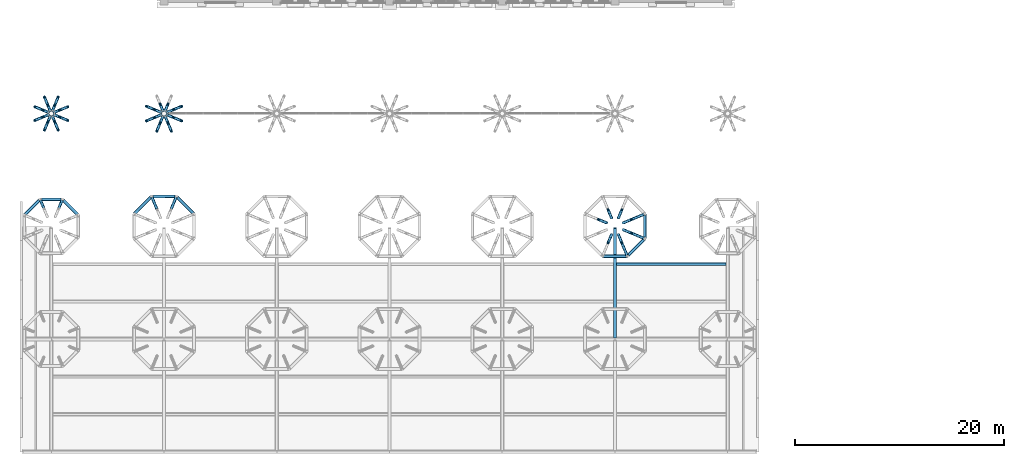
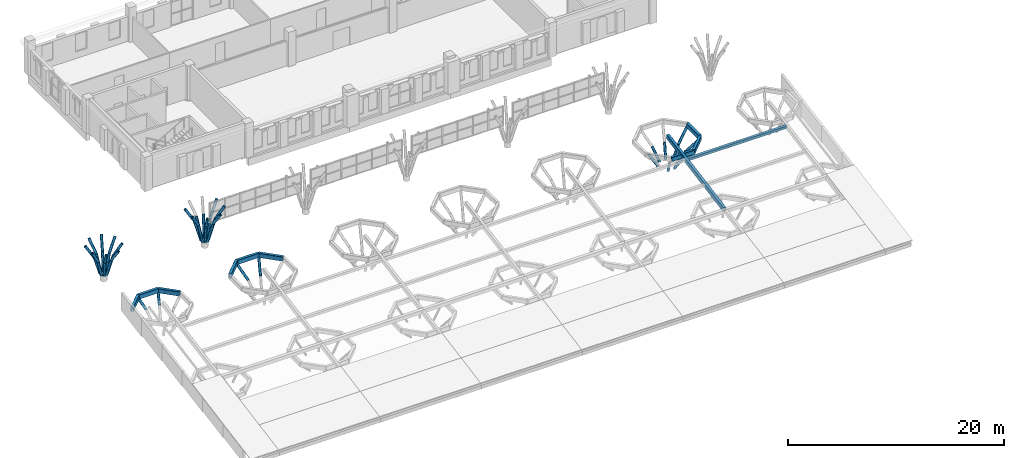
# One storey, part 6 of 42: 44 members, 11 beams.
"""IFC4 building model written with IfcOpenShell, lengths in metres."""

from ifc_helpers import new_model, si_unit, direction, frame, origin, origin_2d, place, context, subcontext, project, spatial, hollow_rectangle, hollow_circle, extrude, clip, halfspace, material, material_profile, profile_set, type_object, element, save


model = new_model("IFC4")

# Units and contexts
model_context = context("Model", 3, precision=1e-05, world=origin(), true_north=direction((0.0, 1.0)))
body_context = subcontext(model_context, "Body", "Model", "MODEL_VIEW")
ifc_project = project(units=[si_unit("LENGTHUNIT", "METRE"), si_unit("AREAUNIT", "SQUARE_METRE"), si_unit("VOLUMEUNIT", "CUBIC_METRE"), si_unit("PLANEANGLEUNIT", "RADIAN"), si_unit("MASSUNIT", "GRAM", prefix="KILO")], contexts=[model_context])

# Site, building, storey
site_placement = place(None, origin())
site = spatial("IfcSite", under=ifc_project, at=site_placement, CompositionType="ELEMENT")
building_placement = place(site_placement, origin())
building = spatial("IfcBuilding", under=site, at=building_placement, Name="Magnolia Steps Interchange", CompositionType="ELEMENT")
storey_placement = place(building_placement, frame((0.0, 0.0, 12.60009765625)))
storey = spatial("IfcBuildingStorey", under=building, at=storey_placement, Name="L03", CompositionType="ELEMENT", Elevation=12.60009765625)

# Beams
ifc_material_1 = material(Name="Steel Q355B", Category="steel")
ifc_material_profile_1 = material_profile(ifc_material_1, hollow_rectangle(XDim=0.300048828125, YDim=0.5, WallThickness=0.01611328125, InnerFilletRadius=0.01611328125, OuterFilletRadius=0.031982421875, at=origin_2d()), Name="RHS500x300x16")
ifc_profile_set_1 = profile_set([ifc_material_profile_1], Name="Steel Q355B")
beam_type_1 = type_object("IfcBeamType", Name="Ring beam RHS500x300x16", PredefinedType="BEAM", material=ifc_profile_set_1)
beam_1_placement = place(storey_placement, frame((55.780029296875, 75.86865234375, 3.4755859375), z_axis=(-0.707106781187, 0.707106781187, 0.0), x_axis=(-0.707106781187, -0.707106781187, 0.0)))
element("IfcBeam", 1, at=beam_1_placement, inside=storey, type_object=beam_type_1, Name="Ring beam TH01D", PredefinedType="BEAM", context=body_context, shape_type="Clipping", body=[
    clip(clip(extrude(hollow_rectangle(XDim=0.300048828125, YDim=0.5, WallThickness=0.01611328125, InnerFilletRadius=0.01611328125, OuterFilletRadius=0.031982421875, at=origin_2d()), origin(), (0.0, 0.0, 1.0), 2.13720703125), halfspace(frame((0.0, 0.0, 0.0), z_axis=(0.382683433, 0.0, -0.923879532), x_axis=(0.923879532, 0.0, 0.382683433)), False)), halfspace(frame((0.0, 0.0, 2.137202625), z_axis=(0.382683433, 0.0, 0.923879532), x_axis=(0.923879532, 0.0, -0.382683433)), False)),
])
beam_2_placement = place(storey_placement, frame((54.268798828125, 77.3798828125, 3.4755859375), z_axis=(-1.0, 0.0, 0.0), x_axis=(0.0, -1.0, 0.0)))
element("IfcBeam", 2, at=beam_2_placement, inside=storey, type_object=beam_type_1, Name="Ring beam TH01D", PredefinedType="BEAM", context=body_context, shape_type="Clipping", body=[
    clip(clip(extrude(hollow_rectangle(XDim=0.300048828125, YDim=0.5, WallThickness=0.01611328125, InnerFilletRadius=0.01611328125, OuterFilletRadius=0.031982421875, at=origin_2d()), origin(), (0.0, 0.0, 1.0), 2.137451171875), halfspace(frame((0.0, 0.0, 0.0), z_axis=(0.382683432, 0.0, -0.923879533), x_axis=(0.923879533, 0.0, 0.382683432)), False)), halfspace(frame((0.0, 0.0, 2.137451172), z_axis=(0.382683432, 0.0, 0.923879533), x_axis=(0.923879533, 0.0, -0.382683432)), False)),
])
beam_3_placement = place(storey_placement, frame((52.13134765625, 77.3798828125, 3.4755859375), z_axis=(-0.707106781187, -0.707106781187, 0.0), x_axis=(0.707106781187, -0.707106781187, 0.0)))
element("IfcBeam", 3, at=beam_3_placement, inside=storey, type_object=beam_type_1, Name="Ring beam TH01D", PredefinedType="BEAM", context=body_context, shape_type="Clipping", body=[
    clip(clip(extrude(hollow_rectangle(XDim=0.300048828125, YDim=0.5, WallThickness=0.01611328125, InnerFilletRadius=0.01611328125, OuterFilletRadius=0.031982421875, at=origin_2d()), origin(), (0.0, 0.0, 1.0), 2.13720703125), halfspace(frame((0.0, 0.0, 0.0), z_axis=(0.382683433, 0.0, -0.923879532), x_axis=(0.923879532, 0.0, 0.382683433)), False)), halfspace(frame((0.0, 0.0, 2.137202625), z_axis=(0.382683433, 0.0, 0.923879532), x_axis=(0.923879532, 0.0, -0.382683433)), False)),
])
beam_4_placement = place(storey_placement, frame((66.864013671875, 75.986328125, 3.4755859375), z_axis=(-0.707106781187, 0.707106781187, 0.0), x_axis=(-0.707106781187, -0.707106781187, 0.0)))
element("IfcBeam", 4, at=beam_4_placement, inside=storey, type_object=beam_type_1, Name="Ring beam TH02D", PredefinedType="BEAM", context=body_context, shape_type="Clipping", body=[
    clip(clip(extrude(hollow_rectangle(XDim=0.300048828125, YDim=0.5, WallThickness=0.01611328125, InnerFilletRadius=0.01611328125, OuterFilletRadius=0.031982421875, at=origin_2d()), origin(), (0.0, 0.0, 1.0), 2.37255859375), halfspace(frame((0.0, 0.0, 0.0), z_axis=(0.382683433, 0.0, -0.923879532), x_axis=(0.923879532, 0.0, 0.382683433)), False)), halfspace(frame((0.0, 0.0, 2.372674707), z_axis=(0.382683433, 0.0, 0.923879532), x_axis=(0.923879532, 0.0, -0.382683433)), False)),
])
beam_5_placement = place(storey_placement, frame((65.186279296875, 77.6640625, 3.4755859375), z_axis=(-1.0, 0.0, 0.0), x_axis=(0.0, -1.0, 0.0)))
element("IfcBeam", 5, at=beam_5_placement, inside=storey, type_object=beam_type_1, Name="Ring beam TH02D", PredefinedType="BEAM", context=body_context, shape_type="Clipping", body=[
    clip(clip(extrude(hollow_rectangle(XDim=0.300048828125, YDim=0.5, WallThickness=0.01611328125, InnerFilletRadius=0.01611328125, OuterFilletRadius=0.031982421875, at=origin_2d()), origin(), (0.0, 0.0, 1.0), 2.37255859375), halfspace(frame((0.0, 0.0, 0.0), z_axis=(0.382683432, 0.0, -0.923879533), x_axis=(0.923879533, 0.0, 0.382683432)), False)), halfspace(frame((0.0, 0.0, 2.372558594), z_axis=(0.382683432, 0.0, 0.923879533), x_axis=(0.923879533, 0.0, -0.382683432)), False)),
])
beam_6_placement = place(storey_placement, frame((62.813720703125, 77.6640625, 3.4755859375), z_axis=(-0.707106781187, -0.707106781187, 0.0), x_axis=(0.707106781187, -0.707106781187, 0.0)))
element("IfcBeam", 6, at=beam_6_placement, inside=storey, type_object=beam_type_1, Name="Ring beam TH02D", PredefinedType="BEAM", context=body_context, shape_type="Clipping", body=[
    clip(clip(extrude(hollow_rectangle(XDim=0.300048828125, YDim=0.5, WallThickness=0.01611328125, InnerFilletRadius=0.01611328125, OuterFilletRadius=0.031982421875, at=origin_2d()), origin(), (0.0, 0.0, 1.0), 2.37255859375), halfspace(frame((0.0, 0.0, 0.0), z_axis=(0.382683433, 0.0, -0.923879532), x_axis=(0.923879532, 0.0, 0.382683433)), False)), halfspace(frame((0.0, 0.0, 2.372674707), z_axis=(0.382683433, 0.0, 0.923879532), x_axis=(0.923879532, 0.0, -0.382683433)), False)),
])
beam_7_placement = place(storey_placement, frame((106.013671875, 71.93603515625, 3.4755859375), z_axis=(1.0, 0.0, 0.0), x_axis=(0.0, 1.0, 0.0)))
element("IfcBeam", 7, at=beam_7_placement, inside=storey, type_object=beam_type_1, Name="Ring beam TH06D", PredefinedType="BEAM", context=body_context, shape_type="Clipping", body=[
    clip(clip(extrude(hollow_rectangle(XDim=0.300048828125, YDim=0.5, WallThickness=0.01611328125, InnerFilletRadius=0.01611328125, OuterFilletRadius=0.031982421875, at=origin_2d()), origin(), (0.0, 0.0, 1.0), 2.37255859375), halfspace(frame((0.0, 0.0, 0.0), z_axis=(0.382683432, 0.0, -0.923879533), x_axis=(0.923879533, 0.0, 0.382683432)), False)), halfspace(frame((0.0, 0.0, 2.372558594), z_axis=(0.382683432, 0.0, 0.923879533), x_axis=(0.923879533, 0.0, -0.382683432)), False)),
])
beam_8_placement = place(storey_placement, frame((108.38623046875, 71.93603515625, 3.4755859375), z_axis=(0.707106781187, 0.707106781187, 0.0), x_axis=(-0.707106781187, 0.707106781187, 0.0)))
element("IfcBeam", 8, at=beam_8_placement, inside=storey, type_object=beam_type_1, Name="Ring beam TH06D", PredefinedType="BEAM", context=body_context, shape_type="Clipping", body=[
    clip(clip(extrude(hollow_rectangle(XDim=0.300048828125, YDim=0.5, WallThickness=0.01611328125, InnerFilletRadius=0.01611328125, OuterFilletRadius=0.031982421875, at=origin_2d()), origin(), (0.0, 0.0, 1.0), 2.37255859375), halfspace(frame((0.0, 0.0, 0.0), z_axis=(0.382683433, 0.0, -0.923879532), x_axis=(0.923879532, 0.0, 0.382683433)), False)), halfspace(frame((0.0, 0.0, 2.372674707), z_axis=(0.382683433, 0.0, 0.923879532), x_axis=(0.923879532, 0.0, -0.382683433)), False)),
])
beam_9_placement = place(storey_placement, frame((110.06396484375, 73.61376953125, 3.4755859375), z_axis=(0.0, 1.0, 0.0), x_axis=(-1.0, 0.0, 0.0)))
element("IfcBeam", 9, at=beam_9_placement, inside=storey, type_object=beam_type_1, Name="Ring beam TH06D", PredefinedType="BEAM", context=body_context, shape_type="Clipping", body=[
    clip(clip(extrude(hollow_rectangle(XDim=0.300048828125, YDim=0.5, WallThickness=0.01611328125, InnerFilletRadius=0.01611328125, OuterFilletRadius=0.031982421875, at=origin_2d()), origin(), (0.0, 0.0, 1.0), 2.37255859375), halfspace(frame((0.0, 0.0, 0.0), z_axis=(0.382683432, 0.0, -0.923879533), x_axis=(0.923879533, 0.0, 0.382683432)), False)), halfspace(frame((0.0, 0.0, 2.372558594), z_axis=(0.382683432, 0.0, 0.923879533), x_axis=(0.923879533, 0.0, -0.382683432)), False)),
])
ifc_material_2 = material(Name="Steel Q355B", Category="steel")
ifc_material_profile_2 = material_profile(ifc_material_2, hollow_rectangle(XDim=0.300048828125, YDim=0.5, WallThickness=0.01611328125, InnerFilletRadius=0.01611328125, OuterFilletRadius=0.031982421875, at=origin_2d()), Name="RHS500x300x16")
ifc_profile_set_2 = profile_set([ifc_material_profile_2], Name="Steel Q355B")
beam_type_2 = type_object("IfcBeamType", Name="Roof beam RHS500x300x16", PredefinedType="BEAM", material=ifc_profile_set_2)
beam_10_placement = place(storey_placement, frame((107.199951171875, 64.14990234375, 2.071533203125), z_axis=(0.0, 0.983678690331, 0.179933971746), x_axis=(-1.0, 0.0, 0.0)))
element("IfcBeam", 10, at=beam_10_placement, inside=storey, type_object=beam_type_2, Name="Roof beam", PredefinedType="BEAM", context=body_context, shape_type="SweptSolid", body=[
    extrude(hollow_rectangle(XDim=0.300048828125, YDim=0.5, WallThickness=0.01611328125, InnerFilletRadius=0.01611328125, OuterFilletRadius=0.031982421875, at=origin_2d()), origin(), (0.0, 0.0, 1.0), 10.67431640625),
])
ifc_material_3 = material(Name="Steel Q355B", Category="steel")
ifc_material_profile_3 = material_profile(ifc_material_3, hollow_rectangle(XDim=0.25, YDim=0.35009765625, WallThickness=0.011962890625, InnerFilletRadius=0.011962890625, OuterFilletRadius=0.02392578125, at=origin_2d()), Name="RHS350x250x12")
ifc_profile_set_3 = profile_set([ifc_material_profile_3], Name="Steel Q355B")
beam_type_3 = type_object("IfcBeamType", Name="Roof joist RHS350x250x12", PredefinedType="BEAM", material=ifc_profile_set_3)
beam_11_placement = place(storey_placement, frame((107.35009765625, 71.199951171875, 3.4375), z_axis=(1.0, 0.0, 0.0), x_axis=(0.0, 0.98367737698, 0.17994115154)))
element("IfcBeam", 11, at=beam_11_placement, inside=storey, type_object=beam_type_3, Name="Roof joist", PredefinedType="BEAM", context=body_context, shape_type="SweptSolid", body=[
    extrude(hollow_rectangle(XDim=0.25, YDim=0.35009765625, WallThickness=0.011962890625, InnerFilletRadius=0.011962890625, OuterFilletRadius=0.02392578125, at=origin_2d()), origin(), (0.0, 0.0, 1.0), 10.5),
])

# Members
ifc_material_4 = material(Name="Steel Q355B", Category="steel")
ifc_material_profile_4 = material_profile(ifc_material_4, hollow_circle(Radius=0.136474609375, WallThickness=0.013916015625, at=origin_2d()), Name="CHS273x14")
ifc_profile_set_4 = profile_set([ifc_material_profile_4], Name="Steel Q355B")
member_type = type_object("IfcMemberType", Name="Tree rib CHS273x14", PredefinedType="USERDEFINED", material=ifc_profile_set_4)
for number, where, z_axis, x_axis, name in (
    (12, (53.90625, 76.505126953125, 2.4111328125), (0.275434184115, 0.664566115613, 0.694613481153), (-0.923799950879, 0.382875502946, 0.0), "Tree rib TH01D"),
    (13, (52.49365234375, 76.505126953125, 2.4111328125), (-0.275262764485, 0.664600057379, 0.694648957546), (-0.92389112775, -0.382655437784, 0.0), "Tree rib TH01D"),
):
    element("IfcMember", number, at=place(storey_placement, frame(where, z_axis=z_axis, x_axis=x_axis)), inside=storey, type_object=member_type, Name=name, ObjectType="TREE RIB", PredefinedType="USERDEFINED", context=body_context, shape_type="SweptSolid", body=[
        extrude(hollow_circle(Radius=0.136474609375, WallThickness=0.013916015625, at=origin_2d()), origin(), (0.0, 0.0, 1.0), 1.316162109375),
    ])
member_1_placement = place(storey_placement, frame((53.5048828125, 85.726318359375, 0.72119140625), z_axis=(0.254665183401, 0.10543463007, 0.961264366938), x_axis=(-0.382525049986, 0.923945120737, 0.0)))
element("IfcMember", 14, at=member_1_placement, inside=storey, type_object=member_type, Name="Tree rib TH01E", ObjectType="TREE RIB", PredefinedType="USERDEFINED", context=body_context, shape_type="SweptSolid", body=[
    extrude(hollow_circle(Radius=0.136474609375, WallThickness=0.013916015625, at=origin_2d()), origin(), (0.0, 0.0, 1.0), 1.95654296875),
])
member_2_placement = place(storey_placement, frame((54.003173828125, 85.9326171875, 2.60205078125), z_axis=(0.489571014481, 0.202820124805, 0.848047297475), x_axis=(-0.382736860682, 0.923857399968, 0.0)))
element("IfcMember", 15, at=member_2_placement, inside=storey, type_object=member_type, Name="Tree rib TH01E", ObjectType="TREE RIB", PredefinedType="USERDEFINED", context=body_context, shape_type="SweptSolid", body=[
    extrude(hollow_circle(Radius=0.136474609375, WallThickness=0.013916015625, at=origin_2d()), origin(), (0.0, 0.0, 1.0), 1.6201171875),
])
member_3_placement = place(storey_placement, frame((53.326416015625, 85.90478515625, 0.72119140625), z_axis=(0.105431279142, 0.254781860366, 0.961233815992), x_axis=(-0.924011319598, 0.382365115113, 0.0)))
element("IfcMember", 16, at=member_3_placement, inside=storey, type_object=member_type, Name="Tree rib TH01E", ObjectType="TREE RIB", PredefinedType="USERDEFINED", context=body_context, shape_type="SweptSolid", body=[
    extrude(hollow_circle(Radius=0.136474609375, WallThickness=0.013916015625, at=origin_2d()), origin(), (0.0, 0.0, 1.0), 1.956787109375),
])
member_4_placement = place(storey_placement, frame((53.53271484375, 86.4033203125, 2.60205078125), z_axis=(0.202835086264, 0.489456434015, 0.848109855491), x_axis=(-0.923815729635, 0.38283742983, 0.0)))
element("IfcMember", 17, at=member_4_placement, inside=storey, type_object=member_type, Name="Tree rib TH01E", ObjectType="TREE RIB", PredefinedType="USERDEFINED", context=body_context, shape_type="SweptSolid", body=[
    extrude(hollow_circle(Radius=0.136474609375, WallThickness=0.013916015625, at=origin_2d()), origin(), (0.0, 0.0, 1.0), 1.6201171875),
])
member_5_placement = place(storey_placement, frame((53.07373046875, 85.90478515625, 0.72119140625), z_axis=(-0.10555466053, 0.25477850686, 0.96122116398), x_axis=(-0.923851392797, -0.382751360581, 0.0)))
element("IfcMember", 18, at=member_5_placement, inside=storey, type_object=member_type, Name="Tree rib TH01E", ObjectType="TREE RIB", PredefinedType="USERDEFINED", context=body_context, shape_type="SweptSolid", body=[
    extrude(hollow_circle(Radius=0.136474609375, WallThickness=0.013916015625, at=origin_2d()), origin(), (0.0, 0.0, 1.0), 1.956787109375),
])
member_6_placement = place(storey_placement, frame((52.8671875, 86.4033203125, 2.60205078125), z_axis=(-0.202690584818, 0.489471389954, 0.848135770524), x_axis=(-0.923916301993, -0.382594650918, 0.0)))
element("IfcMember", 19, at=member_6_placement, inside=storey, type_object=member_type, Name="Tree rib TH01E", ObjectType="TREE RIB", PredefinedType="USERDEFINED", context=body_context, shape_type="SweptSolid", body=[
    extrude(hollow_circle(Radius=0.136474609375, WallThickness=0.013916015625, at=origin_2d()), origin(), (0.0, 0.0, 1.0), 1.6201171875),
])
member_7_placement = place(storey_placement, frame((52.89501953125, 85.726318359375, 0.72119140625), z_axis=(-0.254665183401, 0.10543463007, 0.961264366938), x_axis=(-0.382525049986, -0.923945120737, 0.0)))
element("IfcMember", 20, at=member_7_placement, inside=storey, type_object=member_type, Name="Tree rib TH01E", ObjectType="TREE RIB", PredefinedType="USERDEFINED", context=body_context, shape_type="SweptSolid", body=[
    extrude(hollow_circle(Radius=0.136474609375, WallThickness=0.013916015625, at=origin_2d()), origin(), (0.0, 0.0, 1.0), 1.95654296875),
])
member_8_placement = place(storey_placement, frame((52.396728515625, 85.9326171875, 2.60205078125), z_axis=(-0.489571014481, 0.202820124805, 0.848047297475), x_axis=(-0.382736860682, -0.923857399968, 0.0)))
element("IfcMember", 21, at=member_8_placement, inside=storey, type_object=member_type, Name="Tree rib TH01E", ObjectType="TREE RIB", PredefinedType="USERDEFINED", context=body_context, shape_type="SweptSolid", body=[
    extrude(hollow_circle(Radius=0.136474609375, WallThickness=0.013916015625, at=origin_2d()), origin(), (0.0, 0.0, 1.0), 1.6201171875),
])
member_9_placement = place(storey_placement, frame((52.89501953125, 85.4736328125, 0.72119140625), z_axis=(-0.254665183401, -0.10543463007, 0.961264366938), x_axis=(0.382525049986, -0.923945120737, 0.0)))
element("IfcMember", 22, at=member_9_placement, inside=storey, type_object=member_type, Name="Tree rib TH01E", ObjectType="TREE RIB", PredefinedType="USERDEFINED", context=body_context, shape_type="SweptSolid", body=[
    extrude(hollow_circle(Radius=0.136474609375, WallThickness=0.013916015625, at=origin_2d()), origin(), (0.0, 0.0, 1.0), 1.95654296875),
])
member_10_placement = place(storey_placement, frame((52.396728515625, 85.267333984375, 2.60205078125), z_axis=(-0.489571014481, -0.202820124805, 0.848047297475), x_axis=(0.382736860682, -0.923857399968, 0.0)))
element("IfcMember", 23, at=member_10_placement, inside=storey, type_object=member_type, Name="Tree rib TH01E", ObjectType="TREE RIB", PredefinedType="USERDEFINED", context=body_context, shape_type="SweptSolid", body=[
    extrude(hollow_circle(Radius=0.136474609375, WallThickness=0.013916015625, at=origin_2d()), origin(), (0.0, 0.0, 1.0), 1.6201171875),
])
member_11_placement = place(storey_placement, frame((53.07373046875, 85.295166015625, 0.72119140625), z_axis=(-0.105558015292, -0.254661831218, 0.961251713719), x_axis=(0.923785071622, -0.382911401564, 0.0)))
element("IfcMember", 24, at=member_11_placement, inside=storey, type_object=member_type, Name="Tree rib TH01E", ObjectType="TREE RIB", PredefinedType="USERDEFINED", context=body_context, shape_type="SweptSolid", body=[
    extrude(hollow_circle(Radius=0.136474609375, WallThickness=0.013916015625, at=origin_2d()), origin(), (0.0, 0.0, 1.0), 1.956787109375),
])
member_12_placement = place(storey_placement, frame((52.8671875, 84.796875, 2.60205078125), z_axis=(-0.202675633104, -0.489585971714, 0.848073206773), x_axis=(0.923957924019, -0.382494123671, 0.0)))
element("IfcMember", 25, at=member_12_placement, inside=storey, type_object=member_type, Name="Tree rib TH01E", ObjectType="TREE RIB", PredefinedType="USERDEFINED", context=body_context, shape_type="SweptSolid", body=[
    extrude(hollow_circle(Radius=0.136474609375, WallThickness=0.013916015625, at=origin_2d()), origin(), (0.0, 0.0, 1.0), 1.6201171875),
])
member_13_placement = place(storey_placement, frame((53.326416015625, 85.295166015625, 0.72119140625), z_axis=(0.10543463007, -0.254665183401, 0.961264366938), x_axis=(0.923945120737, 0.382525049986, 0.0)))
element("IfcMember", 26, at=member_13_placement, inside=storey, type_object=member_type, Name="Tree rib TH01E", ObjectType="TREE RIB", PredefinedType="USERDEFINED", context=body_context, shape_type="SweptSolid", body=[
    extrude(hollow_circle(Radius=0.136474609375, WallThickness=0.013916015625, at=origin_2d()), origin(), (0.0, 0.0, 1.0), 1.95654296875),
])
member_14_placement = place(storey_placement, frame((53.53271484375, 84.796875, 2.60205078125), z_axis=(0.202820124805, -0.489571014481, 0.848047297475), x_axis=(0.923857399968, 0.382736860682, 0.0)))
element("IfcMember", 27, at=member_14_placement, inside=storey, type_object=member_type, Name="Tree rib TH01E", ObjectType="TREE RIB", PredefinedType="USERDEFINED", context=body_context, shape_type="SweptSolid", body=[
    extrude(hollow_circle(Radius=0.136474609375, WallThickness=0.013916015625, at=origin_2d()), origin(), (0.0, 0.0, 1.0), 1.6201171875),
])
member_15_placement = place(storey_placement, frame((53.5048828125, 85.4736328125, 0.72119140625), z_axis=(0.254665183401, -0.10543463007, 0.961264366938), x_axis=(0.382525049986, 0.923945120737, 0.0)))
element("IfcMember", 28, at=member_15_placement, inside=storey, type_object=member_type, Name="Tree rib TH01E", ObjectType="TREE RIB", PredefinedType="USERDEFINED", context=body_context, shape_type="SweptSolid", body=[
    extrude(hollow_circle(Radius=0.136474609375, WallThickness=0.013916015625, at=origin_2d()), origin(), (0.0, 0.0, 1.0), 1.95654296875),
])
member_16_placement = place(storey_placement, frame((54.003173828125, 85.267333984375, 2.60205078125), z_axis=(0.489571014481, -0.202820124805, 0.848047297475), x_axis=(0.382736860682, 0.923857399968, 0.0)))
element("IfcMember", 29, at=member_16_placement, inside=storey, type_object=member_type, Name="Tree rib TH01E", ObjectType="TREE RIB", PredefinedType="USERDEFINED", context=body_context, shape_type="SweptSolid", body=[
    extrude(hollow_circle(Radius=0.136474609375, WallThickness=0.013916015625, at=origin_2d()), origin(), (0.0, 0.0, 1.0), 1.6201171875),
])
for number, where, z_axis, x_axis, name in (
    (30, (64.661376953125, 76.396484375, 2.00048828125), (0.275207808016, 0.664594855451, 0.694675708885), (-0.923917076656, 0.382592780202, 0.0), "Tree rib TH02D"),
    (31, (63.338623046875, 76.396484375, 2.00048828125), (-0.275207808016, 0.664594855451, 0.694675708885), (-0.923917076656, -0.382592780202, 0.0), "Tree rib TH02D"),
):
    element("IfcMember", number, at=place(storey_placement, frame(where, z_axis=z_axis, x_axis=x_axis)), inside=storey, type_object=member_type, Name=name, ObjectType="TREE RIB", PredefinedType="USERDEFINED", context=body_context, shape_type="SweptSolid", body=[
        extrude(hollow_circle(Radius=0.136474609375, WallThickness=0.013916015625, at=origin_2d()), origin(), (0.0, 0.0, 1.0), 1.9072265625),
    ])
member_17_placement = place(storey_placement, frame((64.304931640625, 85.726318359375, 0.72119140625), z_axis=(0.254701340525, 0.105485476775, 0.961249208751), x_axis=(-0.382636144688, 0.923899118291, 0.0)))
element("IfcMember", 32, at=member_17_placement, inside=storey, type_object=member_type, Name="Tree rib TH02E", ObjectType="TREE RIB", PredefinedType="USERDEFINED", context=body_context, shape_type="SweptSolid", body=[
    extrude(hollow_circle(Radius=0.136474609375, WallThickness=0.013916015625, at=origin_2d()), origin(), (0.0, 0.0, 1.0), 2.3837890625),
])
member_18_placement = place(storey_placement, frame((64.912109375, 85.977783203125, 3.0126953125), z_axis=(0.489456434015, 0.202835086264, 0.848109855491), x_axis=(-0.38283742983, 0.923815729635, 0.0)))
element("IfcMember", 33, at=member_18_placement, inside=storey, type_object=member_type, Name="Tree rib TH02E", ObjectType="TREE RIB", PredefinedType="USERDEFINED", context=body_context, shape_type="SweptSolid", body=[
    extrude(hollow_circle(Radius=0.136474609375, WallThickness=0.013916015625, at=origin_2d()), origin(), (0.0, 0.0, 1.0), 1.6201171875),
])
for number, where, z_axis, x_axis, name in (
    (34, (64.126220703125, 85.90478515625, 0.72119140625), (0.105485476775, 0.254701340525, 0.961249208751), (-0.923899118291, 0.382636144688, 0.0), "Tree rib TH02E"),
    (35, (63.873779296875, 85.90478515625, 0.72119140625), (-0.105485476775, 0.254701340525, 0.961249208751), (-0.923899118291, -0.382636144688, 0.0), "Tree rib TH02E"),
    (36, (63.695068359375, 85.726318359375, 0.72119140625), (-0.254701340525, 0.105485476775, 0.961249208751), (-0.382636144688, -0.923899118291, 0.0), "Tree rib TH02E"),
):
    element("IfcMember", number, at=place(storey_placement, frame(where, z_axis=z_axis, x_axis=x_axis)), inside=storey, type_object=member_type, Name=name, ObjectType="TREE RIB", PredefinedType="USERDEFINED", context=body_context, shape_type="SweptSolid", body=[
        extrude(hollow_circle(Radius=0.136474609375, WallThickness=0.013916015625, at=origin_2d()), origin(), (0.0, 0.0, 1.0), 2.3837890625),
    ])
member_19_placement = place(storey_placement, frame((63.087890625, 85.977783203125, 3.0126953125), z_axis=(-0.489456434015, 0.202835086264, 0.848109855491), x_axis=(-0.38283742983, -0.923815729635, 0.0)))
element("IfcMember", 37, at=member_19_placement, inside=storey, type_object=member_type, Name="Tree rib TH02E", ObjectType="TREE RIB", PredefinedType="USERDEFINED", context=body_context, shape_type="SweptSolid", body=[
    extrude(hollow_circle(Radius=0.136474609375, WallThickness=0.013916015625, at=origin_2d()), origin(), (0.0, 0.0, 1.0), 1.6201171875),
])
member_20_placement = place(storey_placement, frame((63.695068359375, 85.4736328125, 0.72119140625), z_axis=(-0.254704090796, -0.10538420162, 0.961259588343), x_axis=(0.382318975891, -0.924030411119, 0.0)))
element("IfcMember", 38, at=member_20_placement, inside=storey, type_object=member_type, Name="Tree rib TH02E", ObjectType="TREE RIB", PredefinedType="USERDEFINED", context=body_context, shape_type="SweptSolid", body=[
    extrude(hollow_circle(Radius=0.136474609375, WallThickness=0.013916015625, at=origin_2d()), origin(), (0.0, 0.0, 1.0), 2.3837890625),
])
member_21_placement = place(storey_placement, frame((63.087890625, 85.222412109375, 3.0126953125), z_axis=(-0.489456434015, -0.202835086264, 0.848109855491), x_axis=(0.38283742983, -0.923815729635, 0.0)))
element("IfcMember", 39, at=member_21_placement, inside=storey, type_object=member_type, Name="Tree rib TH02E", ObjectType="TREE RIB", PredefinedType="USERDEFINED", context=body_context, shape_type="SweptSolid", body=[
    extrude(hollow_circle(Radius=0.136474609375, WallThickness=0.013916015625, at=origin_2d()), origin(), (0.0, 0.0, 1.0), 1.6201171875),
])
member_22_placement = place(storey_placement, frame((63.873779296875, 85.295166015625, 0.72119140625), z_axis=(-0.105485476775, -0.254701340525, 0.961249208751), x_axis=(0.923899118291, -0.382636144688, 0.0)))
element("IfcMember", 40, at=member_22_placement, inside=storey, type_object=member_type, Name="Tree rib TH02E", ObjectType="TREE RIB", PredefinedType="USERDEFINED", context=body_context, shape_type="SweptSolid", body=[
    extrude(hollow_circle(Radius=0.136474609375, WallThickness=0.013916015625, at=origin_2d()), origin(), (0.0, 0.0, 1.0), 2.3837890625),
])
member_23_placement = place(storey_placement, frame((63.622314453125, 84.68798828125, 3.0126953125), z_axis=(-0.202820124805, -0.489571014481, 0.848047297475), x_axis=(0.923857399968, -0.382736860682, 0.0)))
element("IfcMember", 41, at=member_23_placement, inside=storey, type_object=member_type, Name="Tree rib TH02E", ObjectType="TREE RIB", PredefinedType="USERDEFINED", context=body_context, shape_type="SweptSolid", body=[
    extrude(hollow_circle(Radius=0.136474609375, WallThickness=0.013916015625, at=origin_2d()), origin(), (0.0, 0.0, 1.0), 1.6201171875),
])
member_24_placement = place(storey_placement, frame((64.126220703125, 85.295166015625, 0.72119140625), z_axis=(0.105485476775, -0.254701340525, 0.961249208751), x_axis=(0.923899118291, 0.382636144688, 0.0)))
element("IfcMember", 42, at=member_24_placement, inside=storey, type_object=member_type, Name="Tree rib TH02E", ObjectType="TREE RIB", PredefinedType="USERDEFINED", context=body_context, shape_type="SweptSolid", body=[
    extrude(hollow_circle(Radius=0.136474609375, WallThickness=0.013916015625, at=origin_2d()), origin(), (0.0, 0.0, 1.0), 2.3837890625),
])
member_25_placement = place(storey_placement, frame((64.377685546875, 84.68798828125, 3.0126953125), z_axis=(0.202820124805, -0.489571014481, 0.848047297475), x_axis=(0.923857399968, 0.382736860682, 0.0)))
element("IfcMember", 43, at=member_25_placement, inside=storey, type_object=member_type, Name="Tree rib TH02E", ObjectType="TREE RIB", PredefinedType="USERDEFINED", context=body_context, shape_type="SweptSolid", body=[
    extrude(hollow_circle(Radius=0.136474609375, WallThickness=0.013916015625, at=origin_2d()), origin(), (0.0, 0.0, 1.0), 1.6201171875),
])
member_26_placement = place(storey_placement, frame((64.304931640625, 85.4736328125, 0.72119140625), z_axis=(0.254704090796, -0.10538420162, 0.961259588343), x_axis=(0.382318975891, 0.924030411119, 0.0)))
element("IfcMember", 44, at=member_26_placement, inside=storey, type_object=member_type, Name="Tree rib TH02E", ObjectType="TREE RIB", PredefinedType="USERDEFINED", context=body_context, shape_type="SweptSolid", body=[
    extrude(hollow_circle(Radius=0.136474609375, WallThickness=0.013916015625, at=origin_2d()), origin(), (0.0, 0.0, 1.0), 2.3837890625),
])
for number, where, z_axis, x_axis, name in (
    (45, (64.912109375, 85.222412109375, 3.0126953125), (0.489456434015, -0.202835086264, 0.848109855491), (0.38283742983, 0.923815729635, 0.0), "Tree rib TH02E"),
    (46, (108.003173828125, 75.1328125, 0.62646484375), (0.489585971714, 0.202675633104, 0.848073206773), (-0.382494123671, 0.923957924019, 0.0), "Tree rib TH06D"),
):
    element("IfcMember", number, at=place(storey_placement, frame(where, z_axis=z_axis, x_axis=x_axis)), inside=storey, type_object=member_type, Name=name, ObjectType="TREE RIB", PredefinedType="USERDEFINED", context=body_context, shape_type="SweptSolid", body=[
        extrude(hollow_circle(Radius=0.136474609375, WallThickness=0.013916015625, at=origin_2d()), origin(), (0.0, 0.0, 1.0), 1.6201171875),
    ])
member_27_placement = place(storey_placement, frame((108.79638671875, 75.461181640625, 2.00048828125), z_axis=(0.664571439163, 0.275326110485, 0.694651232731), x_axis=(-0.382744666971, 0.923854165929, 0.0)))
element("IfcMember", 47, at=member_27_placement, inside=storey, type_object=member_type, Name="Tree rib TH06D", ObjectType="TREE RIB", PredefinedType="USERDEFINED", context=body_context, shape_type="SweptSolid", body=[
    extrude(hollow_circle(Radius=0.136474609375, WallThickness=0.013916015625, at=origin_2d()), origin(), (0.0, 0.0, 1.0), 1.907470703125),
])
for number, where, z_axis, x_axis, name in (
    (48, (107.53271484375, 75.603271484375, 0.62646484375), (0.202820124805, 0.489571014481, 0.848047297475), (-0.923857399968, 0.382736860682, 0.0), "Tree rib TH06D"),
    (49, (106.8671875, 75.603271484375, 0.62646484375), (-0.202675633104, 0.489585971714, 0.848073206773), (-0.923957924019, -0.382494123671, 0.0), "Tree rib TH06D"),
    (50, (106.396728515625, 75.1328125, 0.62646484375), (-0.489585971714, 0.202675633104, 0.848073206773), (-0.382494123671, -0.923957924019, 0.0), "Tree rib TH06D"),
    (51, (106.8671875, 73.996826171875, 0.62646484375), (-0.202675633104, -0.489585971714, 0.848073206773), (0.923957924019, -0.382494123671, 0.0), "Tree rib TH06D"),
    (52, (107.53271484375, 73.996826171875, 0.62646484375), (0.202820124805, -0.489571014481, 0.848047297475), (0.923857399968, 0.382736860682, 0.0), "Tree rib TH06D"),
):
    element("IfcMember", number, at=place(storey_placement, frame(where, z_axis=z_axis, x_axis=x_axis)), inside=storey, type_object=member_type, Name=name, ObjectType="TREE RIB", PredefinedType="USERDEFINED", context=body_context, shape_type="SweptSolid", body=[
        extrude(hollow_circle(Radius=0.136474609375, WallThickness=0.013916015625, at=origin_2d()), origin(), (0.0, 0.0, 1.0), 1.6201171875),
    ])
member_28_placement = place(storey_placement, frame((107.861328125, 73.20361328125, 2.00048828125), z_axis=(0.275207808016, -0.664594855451, 0.694675708885), x_axis=(0.923917076656, 0.382592780202, 0.0)))
element("IfcMember", 53, at=member_28_placement, inside=storey, type_object=member_type, Name="Tree rib TH06D", ObjectType="TREE RIB", PredefinedType="USERDEFINED", context=body_context, shape_type="SweptSolid", body=[
    extrude(hollow_circle(Radius=0.136474609375, WallThickness=0.013916015625, at=origin_2d()), origin(), (0.0, 0.0, 1.0), 1.9072265625),
])
member_29_placement = place(storey_placement, frame((108.003173828125, 74.46728515625, 0.62646484375), z_axis=(0.489571014481, -0.202820124805, 0.848047297475), x_axis=(0.382736860682, 0.923857399968, 0.0)))
element("IfcMember", 54, at=member_29_placement, inside=storey, type_object=member_type, Name="Tree rib TH06D", ObjectType="TREE RIB", PredefinedType="USERDEFINED", context=body_context, shape_type="SweptSolid", body=[
    extrude(hollow_circle(Radius=0.136474609375, WallThickness=0.013916015625, at=origin_2d()), origin(), (0.0, 0.0, 1.0), 1.6201171875),
])
member_30_placement = place(storey_placement, frame((108.79638671875, 74.138671875, 2.00048828125), z_axis=(0.664594855451, -0.275207808016, 0.694675708885), x_axis=(0.382592780202, 0.923917076656, 0.0)))
element("IfcMember", 55, at=member_30_placement, inside=storey, type_object=member_type, Name="Tree rib TH06D", ObjectType="TREE RIB", PredefinedType="USERDEFINED", context=body_context, shape_type="SweptSolid", body=[
    extrude(hollow_circle(Radius=0.136474609375, WallThickness=0.013916015625, at=origin_2d()), origin(), (0.0, 0.0, 1.0), 1.9072265625),
])

save(model, "model.ifc")
